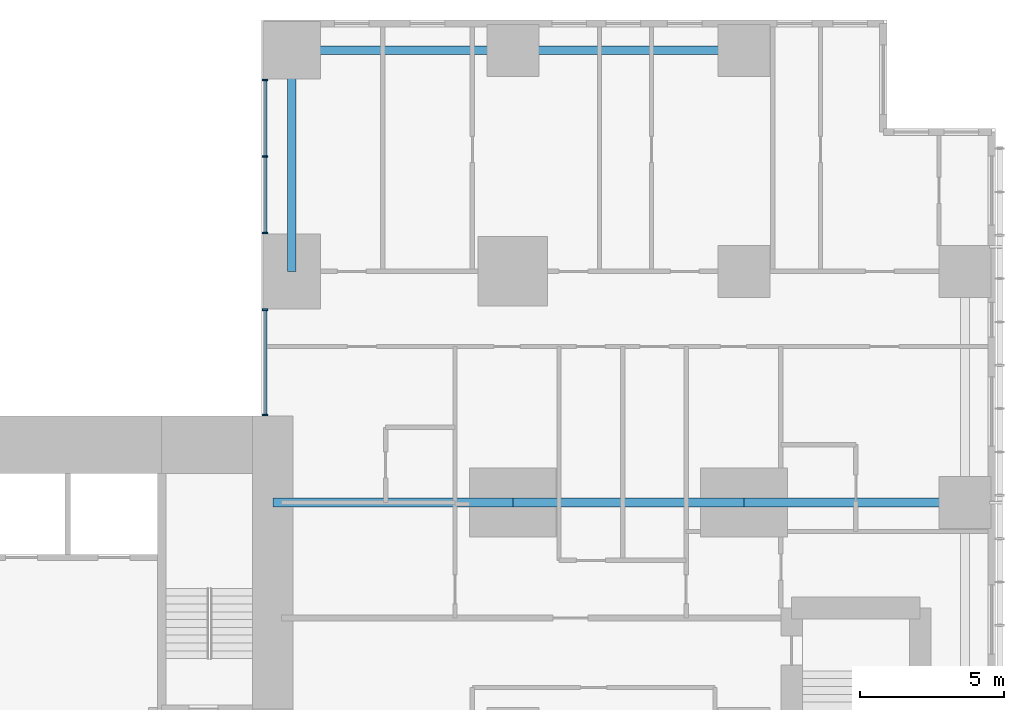
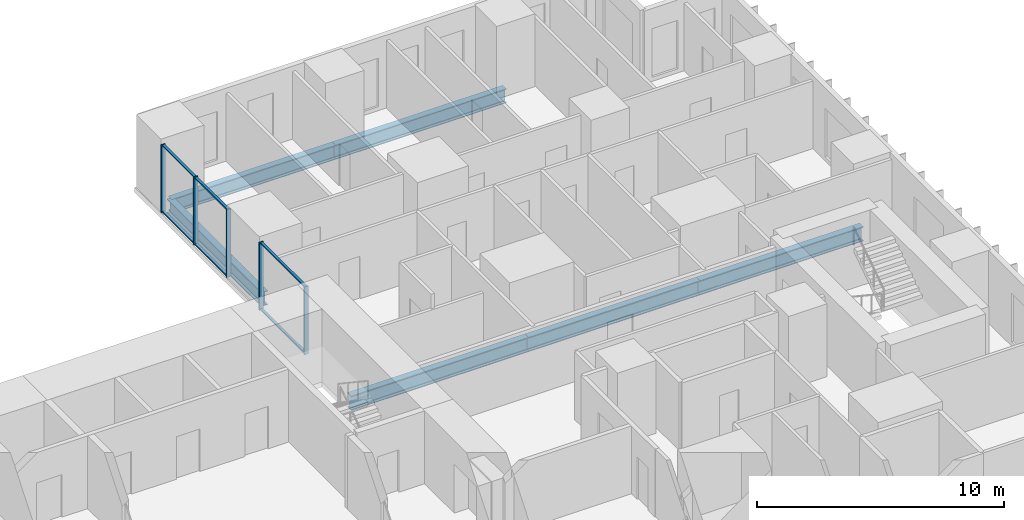
# One storey, part 5 of 20: 11 members, 6 beams, 2 elements without a shape of their own.
"""IFC4 building model written with IfcOpenShell, lengths in metres."""

from ifc_helpers import new_model, si_unit, direction, frame, origin, origin_2d, place, context, subcontext, project, spatial, rectangle, i_section, extrude, material, layer, layer_set, material_profile, profile_set, type_object, element, aggregate, save


model = new_model("IFC4")

# Units and contexts
model_context = context("Model", 3, precision=1e-05, world=origin(), true_north=direction((0.0, 1.0)))
body_context = subcontext(model_context, "Body", "Model", "MODEL_VIEW")
ifc_project = project(units=[si_unit("LENGTHUNIT", "METRE"), si_unit("AREAUNIT", "SQUARE_METRE"), si_unit("VOLUMEUNIT", "CUBIC_METRE"), si_unit("PLANEANGLEUNIT", "RADIAN"), si_unit("MASSUNIT", "GRAM", prefix="KILO")], contexts=[model_context])

# Site, building, storey
site_placement = place(None, origin())
site = spatial("IfcSite", under=ifc_project, at=site_placement, CompositionType="ELEMENT")
building_placement = place(site_placement, origin())
building = spatial("IfcBuilding", under=site, at=building_placement, Name="Cleftline Residences", CompositionType="ELEMENT")
storey_placement = place(building_placement, frame((0.0, 0.0, 185.800048828125)))
storey = spatial("IfcBuildingStorey", under=building, at=storey_placement, Name="L48", CompositionType="ELEMENT", Elevation=185.800048828125)

# Beams
ifc_material_1 = material(Name="Steel S355", Category="steel")
ifc_material_profile_1 = material_profile(ifc_material_1, i_section(OverallWidth=0.300048828125, OverallDepth=0.699951171875, WebThickness=0.01708984375, FlangeThickness=0.031982421875, FilletRadius=0.027099609375, at=origin_2d()))
ifc_profile_set_1 = profile_set([ifc_material_profile_1], Name="Steel S355")
beam_type_1 = type_object("IfcBeamType", Name="BEAM HEB 700", PredefinedType="BEAM", material=ifc_profile_set_1)
beam_1_placement = place(storey_placement, frame((58.0, 47.64990234375, -0.60009765625), z_axis=(-1.0, 0.0, 0.0), x_axis=(0.0, -1.0, 0.0)))
element("IfcBeam", 1, at=beam_1_placement, inside=storey, type_object=beam_type_1, Name="Edge beam", PredefinedType="BEAM", context=body_context, shape_type="SweptSolid", body=[
    extrude(i_section(OverallWidth=0.300048828125, OverallDepth=0.699951171875, WebThickness=0.01708984375, FlangeThickness=0.031982421875, FilletRadius=0.027099609375, at=origin_2d()), origin(), (0.0, 0.0, 1.0), 8.0),
])
for number, where, z_axis, x_axis, name in (
    (2, (50.0, 47.64990234375, -0.60009765625), (-1.0, 0.0, 0.0), (0.0, -1.0, 0.0), "Edge beam"),
    (3, (42.35009765625, 47.64990234375, -0.60009765625), (0.0, -1.0, 0.0), (1.0, 0.0, 0.0), "Edge beam"),
):
    element("IfcBeam", number, at=place(storey_placement, frame(where, z_axis=z_axis, x_axis=x_axis)), inside=storey, type_object=beam_type_1, Name=name, PredefinedType="BEAM", context=body_context, shape_type="SweptSolid", body=[
        extrude(i_section(OverallWidth=0.300048828125, OverallDepth=0.699951171875, WebThickness=0.01708984375, FlangeThickness=0.031982421875, FilletRadius=0.027099609375, at=origin_2d()), origin(), (0.0, 0.0, 1.0), 7.64990234375),
    ])
ifc_material_2 = material(Name="Steel S355", Category="steel")
ifc_material_profile_2 = material_profile(ifc_material_2, i_section(OverallWidth=0.303955078125, OverallDepth=0.716064453125, WebThickness=0.02099609375, FlangeThickness=0.0400390625, FilletRadius=0.027099609375, at=origin_2d()))
ifc_profile_set_2 = profile_set([ifc_material_profile_2], Name="Steel S355")
beam_type_2 = type_object("IfcBeamType", Name="BEAM HEM 700", PredefinedType="BEAM", material=ifc_profile_set_2)
beam_2_placement = place(storey_placement, frame((65.64990234375, 32.0, -0.608154296875), z_axis=(-1.0, 0.0, 0.0), x_axis=(0.0, -1.0, 0.0)))
element("IfcBeam", 4, at=beam_2_placement, inside=storey, type_object=beam_type_2, Name="Band beam", PredefinedType="BEAM", context=body_context, shape_type="SweptSolid", body=[
    extrude(i_section(OverallWidth=0.303955078125, OverallDepth=0.716064453125, WebThickness=0.02099609375, FlangeThickness=0.0400390625, FilletRadius=0.027099609375, at=origin_2d()), origin(), (0.0, 0.0, 1.0), 7.64990234375),
])
beam_3_placement = place(storey_placement, frame((58.0, 32.0, -0.608154296875), z_axis=(-1.0, 0.0, 0.0), x_axis=(0.0, -1.0, 0.0)))
element("IfcBeam", 5, at=beam_3_placement, inside=storey, type_object=beam_type_2, Name="Band beam", PredefinedType="BEAM", context=body_context, shape_type="SweptSolid", body=[
    extrude(i_section(OverallWidth=0.303955078125, OverallDepth=0.716064453125, WebThickness=0.02099609375, FlangeThickness=0.0400390625, FilletRadius=0.027099609375, at=origin_2d()), origin(), (0.0, 0.0, 1.0), 8.0),
])
beam_4_placement = place(storey_placement, frame((50.0, 32.0, -0.608154296875), z_axis=(-1.0, 0.0, 0.0), x_axis=(0.0, -1.0, 0.0)))
element("IfcBeam", 6, at=beam_4_placement, inside=storey, type_object=beam_type_2, Name="Band beam", PredefinedType="BEAM", context=body_context, shape_type="SweptSolid", body=[
    extrude(i_section(OverallWidth=0.303955078125, OverallDepth=0.716064453125, WebThickness=0.02099609375, FlangeThickness=0.0400390625, FilletRadius=0.027099609375, at=origin_2d()), origin(), (0.0, 0.0, 1.0), 8.300048828125),
])

# Curtain wall, members
ifc_material_3 = material(Name="Aluminium framed curtain wall", Category="aluminium")
ifc_layer = layer(ifc_material_3, 0.199951171875)
ifc_layer_set = layer_set([ifc_layer], Name="CW1 CLEFT GLAZING")
curtain_wall_type = type_object("IfcCurtainWallType", Name="CW1 CLEFT GLAZING", PredefinedType="NOTDEFINED", material=ifc_layer_set)
curtain_wall_1_placement = place(storey_placement, origin())
curtain_wall_1 = element("IfcCurtainWall", 7, at=curtain_wall_1_placement, inside=storey, type_object=curtain_wall_type, Name="Curtain wall CW1", PredefinedType="NOTDEFINED")
ifc_material_4 = material(Name="Aluminium mullion", Category="aluminium")
ifc_material_profile_3 = material_profile(ifc_material_4, rectangle(XDim=0.199951171875, YDim=0.06005859375, at=origin_2d()))
ifc_profile_set_3 = profile_set([ifc_material_profile_3], Name="Aluminium mullion")
member_type_1 = type_object("IfcMemberType", Name="CW1 MULLION", PredefinedType="MULLION", material=ifc_profile_set_3)
member_1_placement = place(storey_placement, frame((41.425048828125, 46.6201171875, 0.0), z_axis=(0.0, 0.0, 1.0), x_axis=(1.0, 0.0, 0.0)))
member_1 = element("IfcMember", 8, at=member_1_placement, type_object=member_type_1, Name="CW1 mullion 1", PredefinedType="MULLION", context=body_context, shape_type="SweptSolid", body=[
    extrude(rectangle(XDim=0.199951171875, YDim=0.06005859375, at=origin_2d()), origin(), (0.0, 0.0, 1.0), 3.349853515625),
])
member_2_placement = place(storey_placement, frame((41.425048828125, 43.97509765625, 0.0), z_axis=(0.0, 0.0, 1.0), x_axis=(1.0, 0.0, 0.0)))
member_2 = element("IfcMember", 9, at=member_2_placement, type_object=member_type_1, Name="CW1 mullion 2", PredefinedType="MULLION", context=body_context, shape_type="SweptSolid", body=[
    extrude(rectangle(XDim=0.199951171875, YDim=0.06005859375, at=origin_2d()), origin(), (0.0, 0.0, 1.0), 3.349853515625),
])
member_3_placement = place(storey_placement, frame((41.425048828125, 41.330078125, 0.0), z_axis=(0.0, 0.0, 1.0), x_axis=(1.0, 0.0, 0.0)))
member_3 = element("IfcMember", 10, at=member_3_placement, type_object=member_type_1, Name="CW1 mullion 3", PredefinedType="MULLION", context=body_context, shape_type="SweptSolid", body=[
    extrude(rectangle(XDim=0.199951171875, YDim=0.06005859375, at=origin_2d()), origin(), (0.0, 0.0, 1.0), 3.349853515625),
])

curtain_wall_2_placement = place(storey_placement, origin())
curtain_wall_2 = element("IfcCurtainWall", 11, at=curtain_wall_2_placement, inside=storey, type_object=curtain_wall_type, Name="Curtain wall CW1", PredefinedType="NOTDEFINED")
member_4_placement = place(storey_placement, frame((41.425048828125, 38.669921875, 0.0), z_axis=(0.0, 0.0, 1.0), x_axis=(1.0, 0.0, 0.0)))
member_4 = element("IfcMember", 12, at=member_4_placement, type_object=member_type_1, Name="CW1 mullion 1", PredefinedType="MULLION", context=body_context, shape_type="SweptSolid", body=[
    extrude(rectangle(XDim=0.199951171875, YDim=0.06005859375, at=origin_2d()), origin(), (0.0, 0.0, 1.0), 3.349853515625),
])
member_5_placement = place(storey_placement, frame((41.425048828125, 35.030029296875, 0.0), z_axis=(0.0, 0.0, 1.0), x_axis=(1.0, 0.0, 0.0)))
member_5 = element("IfcMember", 13, at=member_5_placement, type_object=member_type_1, Name="CW1 mullion 2", PredefinedType="MULLION", context=body_context, shape_type="SweptSolid", body=[
    extrude(rectangle(XDim=0.199951171875, YDim=0.06005859375, at=origin_2d()), origin(), (0.0, 0.0, 1.0), 3.349853515625),
])

# Member
ifc_material_5 = material(Name="Aluminium transom", Category="aluminium")
ifc_material_profile_4 = material_profile(ifc_material_5, rectangle(XDim=0.1201171875, YDim=0.06005859375, at=origin_2d()))
ifc_profile_set_4 = profile_set([ifc_material_profile_4], Name="Aluminium transom")
member_type_2 = type_object("IfcMemberType", Name="CW1 TRANSOM", PredefinedType="USERDEFINED", material=ifc_profile_set_4)
member_6_placement = place(storey_placement, frame((41.425048828125, 46.590087890625, 0.030029296875), z_axis=(0.0, -1.0, 0.0), x_axis=(1.0, 0.0, 0.0)))
member_6 = element("IfcMember", 14, at=member_6_placement, type_object=member_type_2, Name="CW1 transom 1.1", ObjectType="TRANSOM", PredefinedType="USERDEFINED", context=body_context, shape_type="SweptSolid", body=[
    extrude(rectangle(XDim=0.1201171875, YDim=0.06005859375, at=origin_2d()), origin(), (0.0, 0.0, 1.0), 2.585205078125),
])

member_7_placement = place(storey_placement, frame((41.425048828125, 46.590087890625, 3.320068359375), z_axis=(0.0, -1.0, 0.0), x_axis=(1.0, 0.0, 0.0)))
member_7 = element("IfcMember", 15, at=member_7_placement, type_object=member_type_2, Name="CW1 transom 1.2", ObjectType="TRANSOM", PredefinedType="USERDEFINED", context=body_context, shape_type="SweptSolid", body=[
    extrude(rectangle(XDim=0.1201171875, YDim=0.06005859375, at=origin_2d()), origin(), (0.0, 0.0, 1.0), 2.585205078125),
])

member_8_placement = place(storey_placement, frame((41.425048828125, 43.945068359375, 0.030029296875), z_axis=(0.0, -1.0, 0.0), x_axis=(1.0, 0.0, 0.0)))
member_8 = element("IfcMember", 16, at=member_8_placement, type_object=member_type_2, Name="CW1 transom 2.1", ObjectType="TRANSOM", PredefinedType="USERDEFINED", context=body_context, shape_type="SweptSolid", body=[
    extrude(rectangle(XDim=0.1201171875, YDim=0.06005859375, at=origin_2d()), origin(), (0.0, 0.0, 1.0), 2.5849609375),
])

member_9_placement = place(storey_placement, frame((41.425048828125, 43.945068359375, 3.320068359375), z_axis=(0.0, -1.0, 0.0), x_axis=(1.0, 0.0, 0.0)))
member_9 = element("IfcMember", 17, at=member_9_placement, type_object=member_type_2, Name="CW1 transom 2.2", ObjectType="TRANSOM", PredefinedType="USERDEFINED", context=body_context, shape_type="SweptSolid", body=[
    extrude(rectangle(XDim=0.1201171875, YDim=0.06005859375, at=origin_2d()), origin(), (0.0, 0.0, 1.0), 2.5849609375),
])

aggregate(curtain_wall_1, [member_1, member_2, member_3, member_6, member_7, member_8, member_9])

member_10_placement = place(storey_placement, frame((41.425048828125, 38.639892578125, 0.030029296875), z_axis=(0.0, -1.0, 0.0), x_axis=(1.0, 0.0, 0.0)))
member_10 = element("IfcMember", 18, at=member_10_placement, type_object=member_type_2, Name="CW1 transom 1.1", ObjectType="TRANSOM", PredefinedType="USERDEFINED", context=body_context, shape_type="SweptSolid", body=[
    extrude(rectangle(XDim=0.1201171875, YDim=0.06005859375, at=origin_2d()), origin(), (0.0, 0.0, 1.0), 3.579833984375),
])

member_11_placement = place(storey_placement, frame((41.425048828125, 38.639892578125, 3.320068359375), z_axis=(0.0, -1.0, 0.0), x_axis=(1.0, 0.0, 0.0)))
member_11 = element("IfcMember", 19, at=member_11_placement, type_object=member_type_2, Name="CW1 transom 1.2", ObjectType="TRANSOM", PredefinedType="USERDEFINED", context=body_context, shape_type="SweptSolid", body=[
    extrude(rectangle(XDim=0.1201171875, YDim=0.06005859375, at=origin_2d()), origin(), (0.0, 0.0, 1.0), 3.579833984375),
])

aggregate(curtain_wall_2, [member_4, member_5, member_10, member_11])

save(model, "model.ifc")
